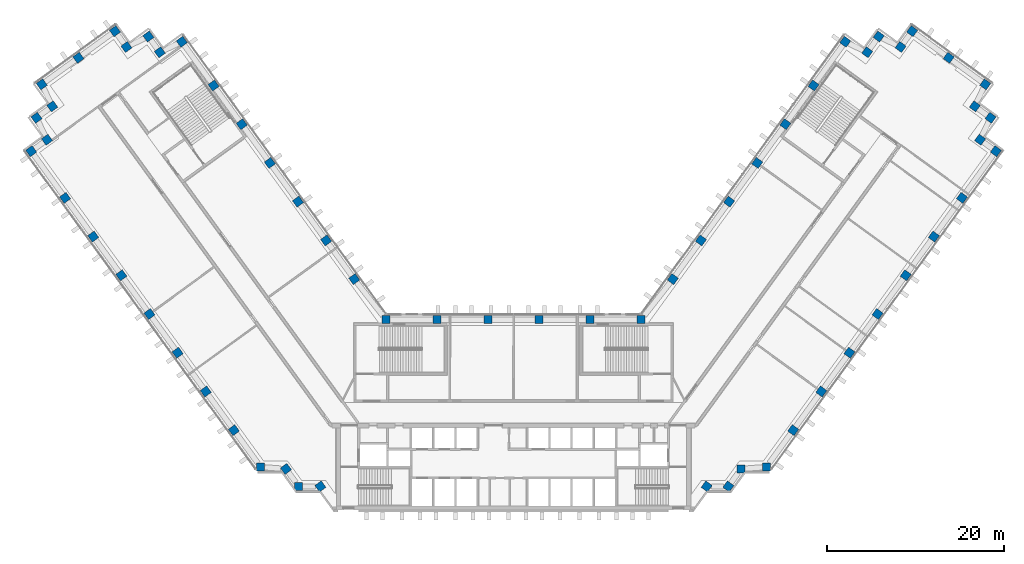
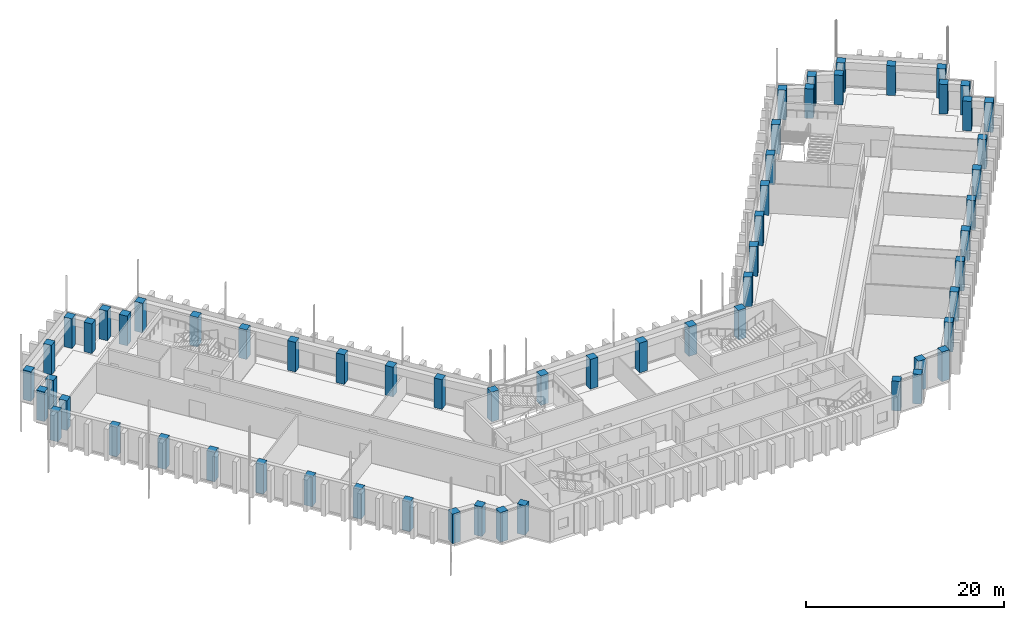
# One storey, part 1 of 18: 62 columns.
"""IFC4 building model written with IfcOpenShell, lengths in metres."""

from ifc_helpers import new_model, si_unit, direction, frame, origin, origin_2d, place, context, subcontext, project, spatial, rectangle, extrude, material, material_profile, profile_set, type_object, element, save


model = new_model("IFC4")

# Units and contexts
model_context = context("Model", 3, precision=1e-05, world=origin(), true_north=direction((0.0, 1.0)))
body_context = subcontext(model_context, "Body", "Model", "MODEL_VIEW")
ifc_project = project(units=[si_unit("LENGTHUNIT", "METRE"), si_unit("AREAUNIT", "SQUARE_METRE"), si_unit("VOLUMEUNIT", "CUBIC_METRE"), si_unit("PLANEANGLEUNIT", "RADIAN"), si_unit("MASSUNIT", "GRAM", prefix="KILO")], contexts=[model_context])

# Site, building, storey
site_placement = place(None, origin())
site = spatial("IfcSite", under=ifc_project, at=site_placement, CompositionType="ELEMENT")
building_placement = place(site_placement, origin())
building = spatial("IfcBuilding", under=site, at=building_placement, Name="Quipu Civic Tower", CompositionType="ELEMENT")
storey_placement = place(building_placement, frame((0.0, 0.0, 71.0)))
storey = spatial("IfcBuildingStorey", under=building, at=storey_placement, Name="L16", CompositionType="ELEMENT", Elevation=71.0)

# Columns
ifc_material = material(Name="Concrete C70/85", Category="concrete")
ifc_material_profile = material_profile(ifc_material, rectangle(XDim=0.89990234375, YDim=0.89990234375, at=origin_2d()), Name="RC900x900")
ifc_profile_set = profile_set([ifc_material_profile], Name="Concrete C70/85")
column_type = type_object("IfcColumnType", Name="Perimeter column RC 900x900 C70/85", PredefinedType="COLUMN", material=ifc_profile_set)
for number, where, z_axis, x_axis, name in (
    (1, (-17.9736328125, 15.074951171875, 0.0), (0.0, 0.0, 1.0), (-0.587785252292, 0.809016994375, 0.0), "Column L16 W-IN-01"),
    (2, (-21.1474609375, 19.44384765625, 0.0), (0.0, 0.0, 1.0), (-0.587785252292, 0.809016994375, 0.0), "Column L16 W-IN-02"),
    (3, (-24.3212890625, 23.8125, 0.0), (0.0, 0.0, 1.0), (-0.587785252292, 0.809016994375, 0.0), "Column L16 W-IN-03"),
    (4, (-27.4951171875, 28.181396484375, 0.0), (0.0, 0.0, 1.0), (-0.587785252292, 0.809016994375, 0.0), "Column L16 W-IN-04"),
    (5, (-30.6689453125, 32.55029296875, 0.0), (0.0, 0.0, 1.0), (-0.587785252292, 0.809016994375, 0.0), "Column L16 W-IN-05"),
    (6, (-33.843017578125, 36.919189453125, 0.0), (0.0, 0.0, 1.0), (-0.587785252292, 0.809016994375, 0.0), "Column L16 W-IN-06"),
    (7, (-37.425048828125, 41.85009765625, 0.0), (0.0, 0.0, 1.0), (-0.587785252292, 0.809016994375, 0.0), "Column L16 T-Wi.0-W50"),
    (8, (-39.905517578125, 40.666015625, 0.0), (0.0, 0.0, 1.0), (-0.587785252292, 0.809016994375, 0.0), "Column L16 T-Wi.1-W50"),
    (9, (-41.199951171875, 42.445068359375, 0.0), (0.0, 0.0, 1.0), (-0.587785252292, 0.809016994375, 0.0), "Column L16 T-Wi.2-W50"),
    (10, (-43.674560546875, 41.264892578125, 0.0), (0.0, 0.0, 1.0), (-0.809016994375, -0.587785252292, 0.0), "Column L16 T-Wi.3-W50"),
    (11, (-44.969970703125, 43.044921875, 0.0), (0.0, 0.0, 1.0), (-0.809016994375, -0.587785252292, 0.0), "Column L16 T-Wi.4-W50"),
    (12, (-49.095703125, 40.046875, 0.0), (0.0, 0.0, 1.0), (-0.809016994375, -0.587785252292, 0.0), "Column L16 TIP-W-01-W50"),
    (13, (-53.219970703125, 37.050048828125, 0.0), (0.0, 0.0, 1.0), (0.587785252292, -0.809016994375, 0.0), "Column L16 T-Wo.0-W50"),
    (14, (-52.038818359375, 34.571044921875, 0.0), (0.0, 0.0, 1.0), (-0.809016994375, -0.587785252292, 0.0), "Column L16 T-Wo.1-W50"),
    (15, (-53.820068359375, 33.27490234375, 0.0), (0.0, 0.0, 1.0), (0.587785252292, -0.809016994375, 0.0), "Column L16 T-Wo.2-W50"),
    (16, (-52.635986328125, 30.799560546875, 0.0), (0.0, 0.0, 1.0), (-0.809016994375, -0.587785252292, 0.0), "Column L16 T-Wo.3-W50"),
    (17, (-54.4150390625, 29.5048828125, 0.0), (0.0, 0.0, 1.0), (0.587785252292, -0.809016994375, 0.0), "Column L16 T-Wo.4-W50"),
    (18, (-50.59228515625, 24.243408203125, 0.0), (0.0, 0.0, 1.0), (0.587785252292, -0.809016994375, 0.0), "Column L16 W-OUT-07"),
    (19, (-47.41845703125, 19.874755859375, 0.0), (0.0, 0.0, 1.0), (0.587785252292, -0.809016994375, 0.0), "Column L16 W-OUT-06"),
    (20, (-44.244384765625, 15.506103515625, 0.0), (0.0, 0.0, 1.0), (0.587785252292, -0.809016994375, 0.0), "Column L16 W-OUT-05"),
    (21, (-41.0703125, 11.137451171875, 0.0), (0.0, 0.0, 1.0), (0.587785252292, -0.809016994375, 0.0), "Column L16 W-OUT-04"),
    (22, (-37.896240234375, 6.768798828125, 0.0), (0.0, 0.0, 1.0), (0.587785252292, -0.809016994375, 0.0), "Column L16 W-OUT-03"),
    (23, (-34.722412109375, 2.39990234375, 0.0), (0.0, 0.0, 1.0), (0.587785252292, -0.809016994375, 0.0), "Column L16 W-OUT-02"),
    (24, (-31.54833984375, -1.96875, 0.0), (0.0, 0.0, 1.0), (0.587785252292, -0.809016994375, 0.0), "Column L16 W-OUT-01"),
    (25, (-28.52490234375, -6.1298828125, 0.0), (0.0, 0.0, 1.0), (1.0, 0.0, 0.0), "Column L16 J-Wo.0"),
    (26, (-25.67431640625, -6.3369140625, 0.0), (0.0, 0.0, 1.0), (0.587785252292, -0.809016994375, 0.0), "Column L16 J-Wo.1"),
    (27, (-24.235107421875, -8.31494140625, 0.0), (0.0, 0.0, 1.0), (1.0, 0.0, 0.0), "Column L16 J-Wo.2"),
    (28, (-21.791748046875, -8.31494140625, 0.0), (0.0, 0.0, 1.0), (0.587785252292, -0.809016994375, 0.0), "Column L16 J-Wo.3"),
    (29, (21.791748046875, -8.31494140625, 0.0), (0.0, 0.0, 1.0), (0.587785252292, 0.809016994375, 0.0), "Column L16 J-Eo.1"),
    (30, (24.235107421875, -8.31494140625, 0.0), (0.0, 0.0, 1.0), (0.587785252292, 0.809016994375, 0.0), "Column L16 J-Eo.2"),
    (31, (25.67431640625, -6.3369140625, 0.0), (0.0, 0.0, 1.0), (1.0, 0.0, 0.0), "Column L16 J-Eo.3"),
    (32, (28.52490234375, -6.1298828125, 0.0), (0.0, 0.0, 1.0), (1.0, 0.0, 0.0), "Column L16 J-Eo.4"),
    (33, (31.54833984375, -1.96875, 0.0), (0.0, 0.0, 1.0), (0.587785252292, 0.809016994375, 0.0), "Column L16 E-OUT-01"),
    (34, (34.722412109375, 2.39990234375, 0.0), (0.0, 0.0, 1.0), (0.587785252292, 0.809016994375, 0.0), "Column L16 E-OUT-02"),
    (35, (37.896240234375, 6.768798828125, 0.0), (0.0, 0.0, 1.0), (0.587785252292, 0.809016994375, 0.0), "Column L16 E-OUT-03"),
    (36, (41.0703125, 11.137451171875, 0.0), (0.0, 0.0, 1.0), (0.587785252292, 0.809016994375, 0.0), "Column L16 E-OUT-04"),
    (37, (44.244384765625, 15.506103515625, 0.0), (0.0, 0.0, 1.0), (0.587785252292, 0.809016994375, 0.0), "Column L16 E-OUT-05"),
    (38, (47.41845703125, 19.874755859375, 0.0), (0.0, 0.0, 1.0), (0.587785252292, 0.809016994375, 0.0), "Column L16 E-OUT-06"),
    (39, (50.59228515625, 24.243408203125, 0.0), (0.0, 0.0, 1.0), (0.587785252292, 0.809016994375, 0.0), "Column L16 E-OUT-07"),
    (40, (54.4150390625, 29.5048828125, 0.0), (0.0, 0.0, 1.0), (0.587785252292, 0.809016994375, 0.0), "Column L16 T-Eo.0-E50"),
    (41, (52.635986328125, 30.799560546875, 0.0), (0.0, 0.0, 1.0), (-0.809016994375, 0.587785252292, 0.0), "Column L16 T-Eo.1-E50"),
    (42, (53.820068359375, 33.27490234375, 0.0), (0.0, 0.0, 1.0), (-0.809016994375, 0.587785252292, 0.0), "Column L16 T-Eo.2-E50"),
    (43, (52.038818359375, 34.571044921875, 0.0), (0.0, 0.0, 1.0), (0.587785252292, 0.809016994375, 0.0), "Column L16 T-Eo.3-E50"),
    (44, (53.219970703125, 37.050048828125, 0.0), (0.0, 0.0, 1.0), (-0.809016994375, 0.587785252292, 0.0), "Column L16 T-Eo.4-E50"),
    (45, (49.095703125, 40.046875, 0.0), (0.0, 0.0, 1.0), (-0.809016994375, 0.587785252292, 0.0), "Column L16 TIP-E-01-E50"),
    (46, (44.969970703125, 43.044921875, 0.0), (0.0, 0.0, 1.0), (-0.809016994375, 0.587785252292, 0.0), "Column L16 T-Ei.0-E50"),
    (47, (43.674560546875, 41.264892578125, 0.0), (0.0, 0.0, 1.0), (-0.809016994375, 0.587785252292, 0.0), "Column L16 T-Ei.1-E50"),
    (48, (41.199951171875, 42.445068359375, 0.0), (0.0, 0.0, 1.0), (-0.587785252292, -0.809016994375, 0.0), "Column L16 T-Ei.2-E50"),
    (49, (39.905517578125, 40.666015625, 0.0), (0.0, 0.0, 1.0), (-0.587785252292, -0.809016994375, 0.0), "Column L16 T-Ei.3-E50"),
    (50, (37.425048828125, 41.85009765625, 0.0), (0.0, 0.0, 1.0), (-0.587785252292, -0.809016994375, 0.0), "Column L16 T-Ei.4-E50"),
    (51, (33.843017578125, 36.919189453125, 0.0), (0.0, 0.0, 1.0), (-0.587785252292, -0.809016994375, 0.0), "Column L16 E-IN-06"),
    (52, (30.6689453125, 32.55029296875, 0.0), (0.0, 0.0, 1.0), (-0.587785252292, -0.809016994375, 0.0), "Column L16 E-IN-05"),
    (53, (27.4951171875, 28.181396484375, 0.0), (0.0, 0.0, 1.0), (-0.587785252292, -0.809016994375, 0.0), "Column L16 E-IN-04"),
    (54, (24.3212890625, 23.8125, 0.0), (0.0, 0.0, 1.0), (-0.587785252292, -0.809016994375, 0.0), "Column L16 E-IN-03"),
    (55, (21.1474609375, 19.44384765625, 0.0), (0.0, 0.0, 1.0), (-0.587785252292, -0.809016994375, 0.0), "Column L16 E-IN-02"),
    (56, (17.9736328125, 15.074951171875, 0.0), (0.0, 0.0, 1.0), (-0.587785252292, -0.809016994375, 0.0), "Column L16 E-IN-01"),
    (57, (14.395263671875, 10.5, 0.0), (0.0, 0.0, 1.0), (-1.0, 0.0, 0.0), "Column L16 J-Ei.0"),
    (58, (8.63720703125, 10.5, 0.0), (0.0, 0.0, 1.0), (-1.0, 0.0, 0.0), "Column L16 FRONT-01"),
    (59, (2.87890625, 10.5, 0.0), (0.0, 0.0, 1.0), (-1.0, 0.0, 0.0), "Column L16 FRONT-02"),
    (60, (-2.87890625, 10.5, 0.0), (0.0, 0.0, 1.0), (-1.0, 0.0, 0.0), "Column L16 FRONT-03"),
    (61, (-8.63720703125, 10.5, 0.0), (0.0, 0.0, 1.0), (-1.0, 0.0, 0.0), "Column L16 FRONT-04"),
    (62, (-14.395263671875, 10.5, 0.0), (0.0, 0.0, 1.0), (-1.0, 0.0, 0.0), "Column L16 J-Wi.0"),
):
    element("IfcColumn", number, at=place(storey_placement, frame(where, z_axis=z_axis, x_axis=x_axis)), inside=storey, type_object=column_type, Name=name, PredefinedType="COLUMN", context=body_context, shape_type="SweptSolid", body=[
        extrude(rectangle(XDim=0.89990234375, YDim=0.89990234375, at=origin_2d()), origin(), (0.0, 0.0, 1.0), 3.64990234375),
    ])

save(model, "model.ifc")
